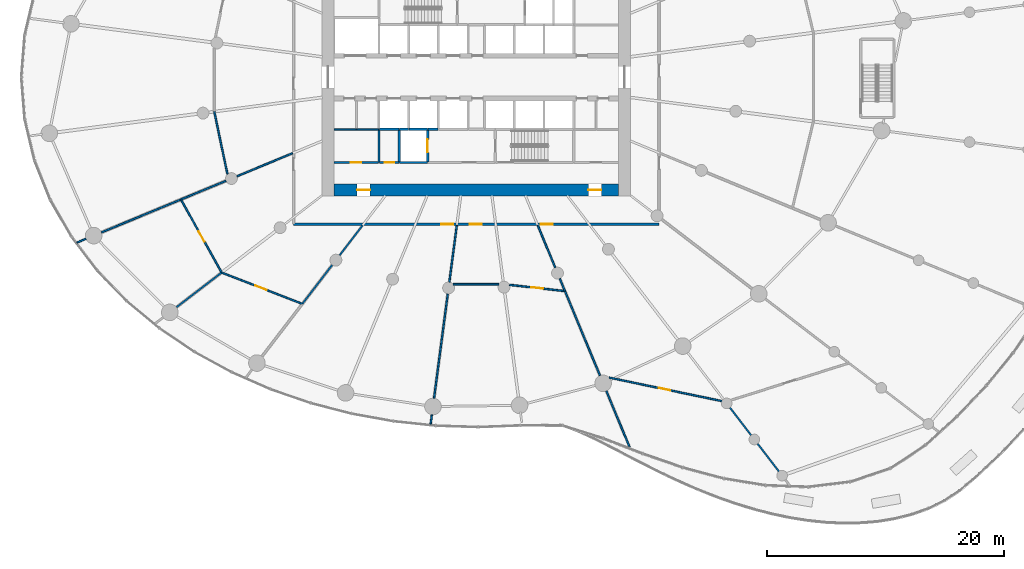
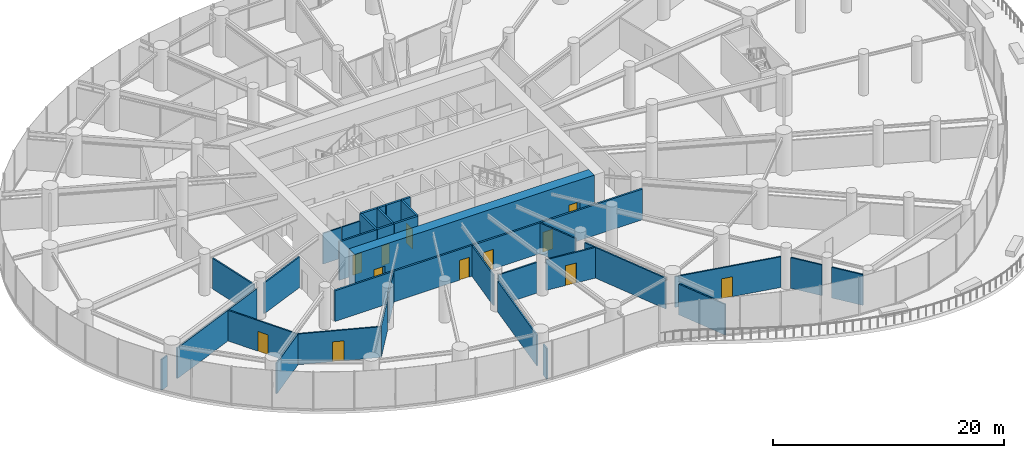
# One storey, part 14 of 24: 36 walls, 12 doors, 12 openings.
"""IFC4 building model written with IfcOpenShell, lengths in metres."""

from ifc_helpers import new_model, si_unit, direction, frame, frame_2d, origin, place, context, subcontext, project, spatial, rectangle, extrude, source, transform, mapped, material, layer, layer_set, type_object, element, fill, save


model = new_model("IFC4")

# Units and contexts
model_context = context("Model", 3, precision=1e-05, world=origin(), true_north=direction((0.0, 1.0)))
body_context = subcontext(model_context, "Body", "Model", "MODEL_VIEW")
ifc_project = project(units=[si_unit("LENGTHUNIT", "METRE"), si_unit("AREAUNIT", "SQUARE_METRE"), si_unit("VOLUMEUNIT", "CUBIC_METRE"), si_unit("PLANEANGLEUNIT", "RADIAN"), si_unit("MASSUNIT", "GRAM", prefix="KILO")], contexts=[model_context])

# Site, building, storey
site_placement = place(None, origin())
site = spatial("IfcSite", under=ifc_project, at=site_placement, CompositionType="ELEMENT")
building_placement = place(site_placement, origin())
building = spatial("IfcBuilding", under=site, at=building_placement, Name="Spindrift Exchange Tower", CompositionType="ELEMENT")
storey_placement = place(building_placement, frame((0.0, 0.0, 5.0)))
storey = spatial("IfcBuildingStorey", under=building, at=storey_placement, Name="L01", CompositionType="ELEMENT", Elevation=5.0)

# Wall, openings, doors
ifc_material_1 = material(Name="Concrete 80 MPa", Category="concrete")
ifc_layer_1 = layer(ifc_material_1, 1.0)
ifc_layer_set_1 = layer_set([ifc_layer_1], Name="RC Core Wall 1000 Concrete 80 MPa")
wall_type_1 = type_object("IfcWallType", Name="RC Core Wall 1000 Concrete 80 MPa", PredefinedType="SHEAR", material=ifc_layer_set_1)
wall_1_placement = place(storey_placement, frame((40.0, 38.5, 0.0), z_axis=(0.0, 0.0, 1.0), x_axis=(1.0, 0.0, 0.0)))
wall_1 = element("IfcWall", 1, at=wall_1_placement, inside=storey, type_object=wall_type_1, Name="Core wall S L01", PredefinedType="SHEAR", context=body_context, shape_type="SweptSolid", body=[
    extrude(rectangle(XDim=24.0, YDim=1.0, at=frame_2d((12.0, 0.0))), origin(), (0.0, 0.0, 1.0), 4.39990234375),
])
opening_1_placement = place(wall_1_placement, frame((21.449951171875, 0.0, 0.0)))
opening_1 = element("IfcOpeningElement", 2, at=opening_1_placement, cuts=wall_1, Name="Opening L01-D22", PredefinedType="OPENING", context=body_context, shape_type="SweptSolid", body=[
    extrude(rectangle(XDim=1.10009765625, YDim=2.10009765625, at=frame_2d((0.550048828125, 1.050048828125))), frame((0.0, 0.510009765625, 0.0), z_axis=(0.0, -1.0, 0.0), x_axis=(1.0, 0.0, 0.0)), (0.0, 0.0, 1.0), 1.02001953125),
])
opening_2_placement = place(wall_1_placement, frame((1.949951171875, 0.0, 0.0)))
opening_2 = element("IfcOpeningElement", 3, at=opening_2_placement, cuts=wall_1, Name="Opening L01-D23", PredefinedType="OPENING", context=body_context, shape_type="SweptSolid", body=[
    extrude(rectangle(XDim=1.10009765625, YDim=2.10009765625, at=frame_2d((0.550048828125, 1.050048828125))), frame((0.0, 0.510009765625, 0.0), z_axis=(0.0, -1.0, 0.0), x_axis=(1.0, 0.0, 0.0)), (0.0, 0.0, 1.0), 1.02001953125),
])
ifc_material_2 = material(Name="Steel fire door", Category="steel")
door_type_1 = type_object("IfcDoorType", Name="DR-STAIR-1100", OperationType="NOTDEFINED", PredefinedType="DOOR", material=ifc_material_2)
shared_shape_1 = source(origin(), body_context, "Body", "SweptSolid", [
    extrude(rectangle(XDim=1.10009765625, YDim=2.10009765625, at=frame_2d((0.550048828125, 1.050048828125))), frame((0.0, 0.02490234375, 0.0), z_axis=(0.0, -1.0, 0.0), x_axis=(1.0, 0.0, 0.0)), (0.0, 0.0, 1.0), 0.050048828125),
])
door_1_placement = place(opening_1_placement, origin())
door_1 = element("IfcDoor", 4, at=door_1_placement, inside=storey, type_object=door_type_1, Name="L01 Stair door 22", OperationType="SINGLE_SWING_RIGHT", OverallHeight=2.10009765625, OverallWidth=1.10009765625, PredefinedType="DOOR", context=body_context, shape_type="MappedRepresentation", body=[
    mapped(shared_shape_1, transform((0.0, 0.0, 0.0), scale=1.0)),
])
fill(opening_1, door_1)
door_2_placement = place(opening_2_placement, origin())
door_2 = element("IfcDoor", 5, at=door_2_placement, inside=storey, type_object=door_type_1, Name="L01 Stair door 23", OperationType="SINGLE_SWING_LEFT", OverallHeight=2.10009765625, OverallWidth=1.10009765625, PredefinedType="DOOR", context=body_context, shape_type="MappedRepresentation", body=[
    mapped(shared_shape_1, transform((0.0, 0.0, 0.0), scale=1.0)),
])
fill(opening_2, door_2)

# Wall, opening, door
ifc_material_3 = material(Name="Fire-rated plasterboard partition", Category="gypsum")
ifc_layer_2 = layer(ifc_material_3, 0.179931640625)
ifc_layer_set_2 = layer_set([ifc_layer_2], Name="W-CORR-180")
wall_type_2 = type_object("IfcWallType", Name="W-CORR-180", PredefinedType="PARTITIONING", material=ifc_layer_set_2)
wall_2_placement = place(storey_placement, frame((40.02001953125, 40.800048828125, 0.0), z_axis=(0.0, 0.0, 1.0), x_axis=(1.0, 0.0, 0.0)))
wall_2 = element("IfcWall", 6, at=wall_2_placement, inside=storey, type_object=wall_type_2, Name="L01 Partition wall 65", PredefinedType="PARTITIONING", context=body_context, shape_type="SweptSolid", body=[
    extrude(rectangle(XDim=3.75, YDim=0.179931640625, at=frame_2d((1.875, 0.0))), origin(), (0.0, 0.0, 1.0), 4.050048828125),
])
opening_3_placement = place(wall_2_placement, frame((1.39990234375, 0.0, 0.0)))
opening_3 = element("IfcOpeningElement", 7, at=opening_3_placement, cuts=wall_2, Name="Opening L01-D53", PredefinedType="OPENING", context=body_context, shape_type="SweptSolid", body=[
    extrude(rectangle(XDim=0.89990234375, YDim=2.10009765625, at=frame_2d((0.449951171875, 1.050048828125))), frame((0.0, 0.099853515625, 0.0), z_axis=(0.0, -1.0, 0.0), x_axis=(1.0, 0.0, 0.0)), (0.0, 0.0, 1.0), 0.199951171875),
])
ifc_material_4 = material(Name="Steel access door", Category="steel")
door_type_2 = type_object("IfcDoorType", Name="DR-RISER-900", OperationType="NOTDEFINED", PredefinedType="DOOR", material=ifc_material_4)
shared_shape_2 = source(origin(), body_context, "Body", "SweptSolid", [
    extrude(rectangle(XDim=0.89990234375, YDim=2.10009765625, at=frame_2d((0.449951171875, 1.050048828125))), frame((0.0, 0.02490234375, 0.0), z_axis=(0.0, -1.0, 0.0), x_axis=(1.0, 0.0, 0.0)), (0.0, 0.0, 1.0), 0.050048828125),
])
door_3_placement = place(opening_3_placement, origin())
door_3 = element("IfcDoor", 8, at=door_3_placement, inside=storey, type_object=door_type_2, Name="L01 Riser door 53", OperationType="SINGLE_SWING_LEFT", OverallHeight=2.10009765625, OverallWidth=0.89990234375, PredefinedType="DOOR", context=body_context, shape_type="MappedRepresentation", body=[
    mapped(shared_shape_2, transform((0.0, 0.0, 0.0), scale=1.0)),
])
fill(opening_3, door_3)

# Walls
ifc_layer_3 = layer(ifc_material_3, 0.139892578125)
ifc_layer_set_3 = layer_set([ifc_layer_3], Name="W-PART-140")
wall_type_3 = type_object("IfcWallType", Name="W-PART-140", PredefinedType="PARTITIONING", material=ifc_layer_set_3)
wall_3_placement = place(storey_placement, frame((43.77001953125, 43.60009765625, 0.0), z_axis=(0.0, 0.0, 1.0), x_axis=(-1.0, 0.0, 0.0)))
element("IfcWall", 9, at=wall_3_placement, inside=storey, type_object=wall_type_3, Name="L01 Partition wall 143", PredefinedType="PARTITIONING", context=body_context, shape_type="SweptSolid", body=[
    extrude(rectangle(XDim=1.840087890625, YDim=0.139892578125, at=frame_2d((0.919921875, 0.0))), origin(), (0.0, 0.0, 1.0), 3.25),
])
wall_4_placement = place(storey_placement, frame((41.8701171875, 43.60009765625, 0.0), z_axis=(0.0, 0.0, 1.0), x_axis=(-1.0, 0.0, 0.0)))
element("IfcWall", 10, at=wall_4_placement, inside=storey, type_object=wall_type_3, Name="L01 Partition wall 145", PredefinedType="PARTITIONING", context=body_context, shape_type="SweptSolid", body=[
    extrude(rectangle(XDim=1.85009765625, YDim=0.139892578125, at=frame_2d((0.925048828125, 0.0))), origin(), (0.0, 0.0, 1.0), 3.25),
])

# Wall, opening, door
ifc_layer_4 = layer(ifc_material_3, 0.139892578125)
ifc_layer_set_4 = layer_set([ifc_layer_4], Name="W-PLANT-140")
wall_type_4 = type_object("IfcWallType", Name="W-PLANT-140", PredefinedType="PARTITIONING", material=ifc_layer_set_4)
wall_5_placement = place(storey_placement, frame((72.68798828125, 20.6953125, 0.0), z_axis=(0.0, 0.0, 1.0), x_axis=(-0.978931754846, 0.204187706176, 0.0)))
wall_5 = element("IfcWall", 11, at=wall_5_placement, inside=storey, type_object=wall_type_4, Name="L01 Partition wall 70", PredefinedType="PARTITIONING", context=body_context, shape_type="SweptSolid", body=[
    extrude(rectangle(XDim=9.6884765625, YDim=0.139892578125, at=frame_2d((4.84423828125, 0.0))), origin(), (0.0, 0.0, 1.0), 3.25),
])
opening_4_placement = place(wall_5_placement, frame((4.438232421875, 0.0, 0.0)))
opening_4 = element("IfcOpeningElement", 12, at=opening_4_placement, cuts=wall_5, Name="Opening L01-D48", PredefinedType="OPENING", context=body_context, shape_type="SweptSolid", body=[
    extrude(rectangle(XDim=1.0, YDim=2.10009765625, at=frame_2d((0.5, 1.050048828125))), frame((0.0, 0.079833984375, 0.0), z_axis=(0.0, -1.0, 0.0), x_axis=(1.0, 0.0, 0.0)), (0.0, 0.0, 1.0), 0.159912109375),
])
ifc_material_5 = material(Name="Timber-core fire door", Category="wood")
door_type_3 = type_object("IfcDoorType", Name="DR-ROOM-1000", OperationType="NOTDEFINED", PredefinedType="DOOR", material=ifc_material_5)
shared_shape_3 = source(origin(), body_context, "Body", "SweptSolid", [
    extrude(rectangle(XDim=1.0, YDim=2.10009765625, at=frame_2d((0.5, 1.050048828125))), frame((0.0, 0.02490234375, 0.0), z_axis=(0.0, -1.0, 0.0), x_axis=(1.0, 0.0, 0.0)), (0.0, 0.0, 1.0), 0.050048828125),
])
door_4_placement = place(opening_4_placement, origin())
door_4 = element("IfcDoor", 13, at=door_4_placement, inside=storey, type_object=door_type_3, Name="L01 Door 48", OperationType="SINGLE_SWING_RIGHT", OverallHeight=2.10009765625, OverallWidth=1.0, PredefinedType="DOOR", context=body_context, shape_type="MappedRepresentation", body=[
    mapped(shared_shape_3, transform((0.0, 0.0, 0.0), scale=1.0)),
])
fill(opening_4, door_4)

# Walls
wall_6_placement = place(storey_placement, frame((49.594970703125, 29.732666015625, 0.0), z_axis=(0.0, 0.0, 1.0), x_axis=(-0.130521426482, -0.991445488783, 0.0)))
element("IfcWall", 14, at=wall_6_placement, inside=storey, type_object=wall_type_4, Name="L01 Partition wall 73", PredefinedType="PARTITIONING", context=body_context, shape_type="SweptSolid", body=[
    extrude(rectangle(XDim=8.871826171875, YDim=0.139892578125, at=frame_2d((4.43603515625, 0.0))), origin(), (0.0, 0.0, 1.0), 3.25),
])
wall_7_placement = place(storey_placement, frame((59.469970703125, 29.9658203125, 0.0), z_axis=(0.0, 0.0, 1.0), x_axis=(0.382680867479, -0.923880594918, 0.0)))
element("IfcWall", 15, at=wall_7_placement, inside=storey, type_object=wall_type_4, Name="L01 Partition wall 77", PredefinedType="PARTITIONING", context=body_context, shape_type="SweptSolid", body=[
    extrude(rectangle(XDim=7.7099609375, YDim=0.139892578125, at=frame_2d((3.85498046875, 0.0))), origin(), (0.0, 0.0, 1.0), 3.25),
])

# Wall, opening, door
wall_8_placement = place(storey_placement, frame((37.332275390625, 28.884521484375, 0.0), z_axis=(0.0, 0.0, 1.0), x_axis=(-0.93183870761, 0.362872736645, 0.0)))
wall_8 = element("IfcWall", 16, at=wall_8_placement, inside=storey, type_object=wall_type_4, Name="L01 Partition wall 81", PredefinedType="PARTITIONING", context=body_context, shape_type="SweptSolid", body=[
    extrude(rectangle(XDim=7.29248046875, YDim=0.139892578125, at=frame_2d((3.646240234375, 0.0))), origin(), (0.0, 0.0, 1.0), 3.25),
])
opening_5_placement = place(wall_8_placement, frame((3.242431640625, 0.0, 0.0)))
opening_5 = element("IfcOpeningElement", 17, at=opening_5_placement, cuts=wall_8, Name="Opening L01-D43", PredefinedType="OPENING", context=body_context, shape_type="SweptSolid", body=[
    extrude(rectangle(XDim=1.0, YDim=2.10009765625, at=frame_2d((0.5, 1.050048828125))), frame((0.0, 0.079833984375, 0.0), z_axis=(0.0, -1.0, 0.0), x_axis=(1.0, 0.0, 0.0)), (0.0, 0.0, 1.0), 0.159912109375),
])
door_5_placement = place(opening_5_placement, origin())
door_5 = element("IfcDoor", 18, at=door_5_placement, inside=storey, type_object=door_type_3, Name="L01 Door 43", OperationType="SINGLE_SWING_LEFT", OverallHeight=2.10009765625, OverallWidth=1.0, PredefinedType="DOOR", context=body_context, shape_type="MappedRepresentation", body=[
    mapped(shared_shape_3, transform((0.0, 0.0, 0.0), scale=1.0)),
])
fill(opening_5, door_5)

# Wall
wall_9_placement = place(storey_placement, frame((27.104736328125, 37.68798828125, 0.0), z_axis=(0.0, 0.0, 1.0), x_axis=(-0.923884350367, -0.382671800824, 0.0)))
element("IfcWall", 19, at=wall_9_placement, inside=storey, type_object=wall_type_4, Name="L01 Partition wall 82", PredefinedType="PARTITIONING", context=body_context, shape_type="SweptSolid", body=[
    extrude(rectangle(XDim=7.254638671875, YDim=0.139892578125, at=frame_2d((3.62744140625, 0.0))), origin(), (0.0, 0.0, 1.0), 3.25),
])

# Wall, opening, door
wall_10_placement = place(storey_placement, frame((30.522216796875, 31.556884765625, 0.0), z_axis=(0.0, 0.0, 1.0), x_axis=(-0.486864372852, 0.87347757982, 0.0)))
wall_10 = element("IfcWall", 20, at=wall_10_placement, inside=storey, type_object=wall_type_4, Name="L01 Partition wall 84", PredefinedType="PARTITIONING", context=body_context, shape_type="SweptSolid", body=[
    extrude(rectangle(XDim=6.9892578125, YDim=0.139892578125, at=frame_2d((3.49462890625, 0.0))), origin(), (0.0, 0.0, 1.0), 3.25),
])
opening_6_placement = place(wall_10_placement, frame((2.939208984375, 0.0, 0.0)))
opening_6 = element("IfcOpeningElement", 21, at=opening_6_placement, cuts=wall_10, Name="Opening L01-D42", PredefinedType="OPENING", context=body_context, shape_type="SweptSolid", body=[
    extrude(rectangle(XDim=1.0, YDim=2.10009765625, at=frame_2d((0.5, 1.050048828125))), frame((0.0, 0.079833984375, 0.0), z_axis=(0.0, -1.0, 0.0), x_axis=(1.0, 0.0, 0.0)), (0.0, 0.0, 1.0), 0.159912109375),
])
door_6_placement = place(opening_6_placement, origin())
door_6 = element("IfcDoor", 22, at=door_6_placement, inside=storey, type_object=door_type_3, Name="L01 Door 42", OperationType="SINGLE_SWING_RIGHT", OverallHeight=2.10009765625, OverallWidth=1.0, PredefinedType="DOOR", context=body_context, shape_type="MappedRepresentation", body=[
    mapped(shared_shape_3, transform((0.0, 0.0, 0.0), scale=1.0)),
])
fill(opening_6, door_6)

# Walls
wall_11_placement = place(storey_placement, frame((29.913330078125, 45.09228515625, 0.0), z_axis=(0.0, 0.0, 1.0), x_axis=(0.206049339712, -0.97854160341, 0.0)))
element("IfcWall", 23, at=wall_11_placement, inside=storey, type_object=wall_type_4, Name="L01 Partition wall 99", PredefinedType="PARTITIONING", context=body_context, shape_type="SweptSolid", body=[
    extrude(rectangle(XDim=5.3828125, YDim=0.139892578125, at=frame_2d((2.69140625, 0.0))), origin(), (0.0, 0.0, 1.0), 3.25),
])
wall_12_placement = place(storey_placement, frame((36.510009765625, 41.583740234375, 0.0), z_axis=(0.0, 0.0, 1.0), x_axis=(-0.923890025086, -0.382658100067, 0.0)))
element("IfcWall", 24, at=wall_12_placement, inside=storey, type_object=wall_type_4, Name="L01 Partition wall 103", PredefinedType="PARTITIONING", context=body_context, shape_type="SweptSolid", body=[
    extrude(rectangle(XDim=5.068359375, YDim=0.139892578125, at=frame_2d((2.5341796875, 0.0))), origin(), (0.0, 0.0, 1.0), 3.25),
])
wall_13_placement = place(storey_placement, frame((62.960205078125, 21.5400390625, 0.0), z_axis=(0.0, 0.0, 1.0), x_axis=(0.382657019909, -0.923890472466, 0.0)))
element("IfcWall", 25, at=wall_13_placement, inside=storey, type_object=wall_type_4, Name="L01 Partition wall 105", PredefinedType="PARTITIONING", context=body_context, shape_type="SweptSolid", body=[
    extrude(rectangle(XDim=5.10986328125, YDim=0.139892578125, at=frame_2d((2.554931640625, 0.0))), origin(), (0.0, 0.0, 1.0), 3.25),
])
wall_14_placement = place(storey_placement, frame((50.355712890625, 35.510009765625, 0.0), z_axis=(0.0, 0.0, 1.0), x_axis=(-0.130523979823, -0.991445152639, 0.0)))
element("IfcWall", 26, at=wall_14_placement, inside=storey, type_object=wall_type_4, Name="L01 Partition wall 107", PredefinedType="PARTITIONING", context=body_context, shape_type="SweptSolid", body=[
    extrude(rectangle(XDim=4.818359375, YDim=0.139892578125, at=frame_2d((2.4091796875, 0.0))), origin(), (0.0, 0.0, 1.0), 3.25),
])
wall_15_placement = place(storey_placement, frame((30.51318359375, 31.5126953125, 0.0), z_axis=(0.0, 0.0, 1.0), x_axis=(-0.793352949366, -0.608761938472, 0.0)))
element("IfcWall", 27, at=wall_15_placement, inside=storey, type_object=wall_type_4, Name="L01 Partition wall 108", PredefinedType="PARTITIONING", context=body_context, shape_type="SweptSolid", body=[
    extrude(rectangle(XDim=4.77734375, YDim=0.139892578125, at=frame_2d((2.388671875, 0.0))), origin(), (0.0, 0.0, 1.0), 3.25),
])

# Wall, opening, door
wall_16_placement = place(storey_placement, frame((59.440185546875, 29.968994140625, 0.0), z_axis=(0.0, 0.0, 1.0), x_axis=(-0.99372471244, 0.111853457196, 0.0)))
wall_16 = element("IfcWall", 28, at=wall_16_placement, inside=storey, type_object=wall_type_4, Name="L01 Partition wall 109", PredefinedType="PARTITIONING", context=body_context, shape_type="SweptSolid", body=[
    extrude(rectangle(XDim=4.673095703125, YDim=0.139892578125, at=frame_2d((2.33642578125, 0.0))), origin(), (0.0, 0.0, 1.0), 3.25),
])
opening_7_placement = place(wall_16_placement, frame((1.8232421875, 0.0, 0.0)))
opening_7 = element("IfcOpeningElement", 29, at=opening_7_placement, cuts=wall_16, Name="Opening L01-D46", PredefinedType="OPENING", context=body_context, shape_type="SweptSolid", body=[
    extrude(rectangle(XDim=1.0, YDim=2.10009765625, at=frame_2d((0.5, 1.050048828125))), frame((0.0, 0.079833984375, 0.0), z_axis=(0.0, -1.0, 0.0), x_axis=(1.0, 0.0, 0.0)), (0.0, 0.0, 1.0), 0.159912109375),
])
door_7_placement = place(opening_7_placement, origin())
door_7 = element("IfcDoor", 30, at=door_7_placement, inside=storey, type_object=door_type_3, Name="L01 Door 46", OperationType="SINGLE_SWING_RIGHT", OverallHeight=2.10009765625, OverallWidth=1.0, PredefinedType="DOOR", context=body_context, shape_type="MappedRepresentation", body=[
    mapped(shared_shape_3, transform((0.0, 0.0, 0.0), scale=1.0)),
])
fill(opening_7, door_7)

# Walls
wall_17_placement = place(storey_placement, frame((39.85791015625, 32.176025390625, 0.0), z_axis=(0.0, 0.0, 1.0), x_axis=(-0.608764995469, -0.793350603637, 0.0)))
element("IfcWall", 31, at=wall_17_placement, inside=storey, type_object=wall_type_4, Name="L01 Partition wall 113", PredefinedType="PARTITIONING", context=body_context, shape_type="SweptSolid", body=[
    extrude(rectangle(XDim=4.11865234375, YDim=0.139892578125, at=frame_2d((2.059326171875, 0.0))), origin(), (0.0, 0.0, 1.0), 3.25),
])
wall_18_placement = place(storey_placement, frame((30.89404296875, 39.2578125, 0.0), z_axis=(0.0, 0.0, 1.0), x_axis=(-0.923875045436, -0.382694264943, 0.0)))
element("IfcWall", 32, at=wall_18_placement, inside=storey, type_object=wall_type_4, Name="L01 Partition wall 114", PredefinedType="PARTITIONING", context=body_context, shape_type="SweptSolid", body=[
    extrude(rectangle(XDim=4.0712890625, YDim=0.139892578125, at=frame_2d((2.03564453125, 0.0))), origin(), (0.0, 0.0, 1.0), 3.25),
])
wall_19_placement = place(storey_placement, frame((57.173583984375, 35.510009765625, 0.0), z_axis=(0.0, 0.0, 1.0), x_axis=(0.382644558062, -0.923895633817, 0.0)))
element("IfcWall", 33, at=wall_19_placement, inside=storey, type_object=wall_type_4, Name="L01 Partition wall 120", PredefinedType="PARTITIONING", context=body_context, shape_type="SweptSolid", body=[
    extrude(rectangle(XDim=3.854248046875, YDim=0.139892578125, at=frame_2d((1.92724609375, 0.0))), origin(), (0.0, 0.0, 1.0), 3.25),
])
wall_20_placement = place(storey_placement, frame((50.054931640625, 30.548095703125, 0.0), z_axis=(0.0, 0.0, 1.0), x_axis=(1.0, 0.0, 0.0)))
element("IfcWall", 34, at=wall_20_placement, inside=storey, type_object=wall_type_4, Name="L01 Partition wall 121", PredefinedType="PARTITIONING", context=body_context, shape_type="SweptSolid", body=[
    extrude(rectangle(XDim=3.83837890625, YDim=0.139892578125, at=frame_2d((1.919189453125, 0.0))), origin(), (0.0, 0.0, 1.0), 3.25),
])
wall_21_placement = place(storey_placement, frame((42.416015625, 35.510009765625, 0.0), z_axis=(0.0, 0.0, 1.0), x_axis=(-0.60874605662, -0.793365135703, 0.0)))
element("IfcWall", 35, at=wall_21_placement, inside=storey, type_object=wall_type_4, Name="L01 Partition wall 128", PredefinedType="PARTITIONING", context=body_context, shape_type="SweptSolid", body=[
    extrude(rectangle(XDim=3.193603515625, YDim=0.139892578125, at=frame_2d((1.5966796875, 0.0))), origin(), (0.0, 0.0, 1.0), 3.25),
])
wall_22_placement = place(storey_placement, frame((73.376220703125, 20.14208984375, 0.0), z_axis=(0.0, 0.0, 1.0), x_axis=(0.608763898154, -0.793351445643, 0.0)))
element("IfcWall", 36, at=wall_22_placement, inside=storey, type_object=wall_type_4, Name="L01 Partition wall 132", PredefinedType="PARTITIONING", context=body_context, shape_type="SweptSolid", body=[
    extrude(rectangle(XDim=2.9296875, YDim=0.139892578125, at=frame_2d((1.46484375, 0.0))), origin(), (0.0, 0.0, 1.0), 3.25),
])
wall_23_placement = place(storey_placement, frame((75.712890625, 17.0966796875, 0.0), z_axis=(0.0, 0.0, 1.0), x_axis=(0.608804147927, -0.793320559085, 0.0)))
element("IfcWall", 37, at=wall_23_placement, inside=storey, type_object=wall_type_4, Name="L01 Partition wall 133", PredefinedType="PARTITIONING", context=body_context, shape_type="SweptSolid", body=[
    extrude(rectangle(XDim=2.929443359375, YDim=0.139892578125, at=frame_2d((1.46484375, 0.0))), origin(), (0.0, 0.0, 1.0), 3.25),
])
wall_24_placement = place(storey_placement, frame((59.034912109375, 31.015869140625, 0.0), z_axis=(0.0, 0.0, 1.0), x_axis=(0.382734948308, -0.923858192226, 0.0)))
element("IfcWall", 38, at=wall_24_placement, inside=storey, type_object=wall_type_4, Name="L01 Partition wall 149", PredefinedType="PARTITIONING", context=body_context, shape_type="SweptSolid", body=[
    extrude(rectangle(XDim=1.106689453125, YDim=0.139892578125, at=frame_2d((0.55322265625, 0.0))), origin(), (0.0, 0.0, 1.0), 3.25),
])
wall_25_placement = place(storey_placement, frame((19.099853515625, 34.372314453125, 0.0), z_axis=(0.0, 0.0, 1.0), x_axis=(-0.923882954879, -0.382675169935, 0.0)))
element("IfcWall", 39, at=wall_25_placement, inside=storey, type_object=wall_type_4, Name="L01 Partition wall 154", PredefinedType="PARTITIONING", context=body_context, shape_type="SweptSolid", body=[
    extrude(rectangle(XDim=0.822265625, YDim=0.139892578125, at=frame_2d((0.4111328125, 0.0))), origin(), (0.0, 0.0, 1.0), 3.25),
])
wall_26_placement = place(storey_placement, frame((48.253173828125, 19.540283203125, 0.0), z_axis=(0.0, 0.0, 1.0), x_axis=(-0.130598952658, -0.991435279564, 0.0)))
element("IfcWall", 40, at=wall_26_placement, inside=storey, type_object=wall_type_4, Name="L01 Partition wall 156", PredefinedType="PARTITIONING", context=body_context, shape_type="SweptSolid", body=[
    extrude(rectangle(XDim=0.787109375, YDim=0.139892578125, at=frame_2d((0.3935546875, 0.0))), origin(), (0.0, 0.0, 1.0), 3.25),
])

# Wall, openings, doors
ifc_layer_5 = layer(ifc_material_3, 0.179931640625)
ifc_layer_set_5 = layer_set([ifc_layer_5], Name="W-PLANT-180")
wall_type_5 = type_object("IfcWallType", Name="W-PLANT-180", PredefinedType="PARTITIONING", material=ifc_layer_set_5)
wall_27_placement = place(storey_placement, frame((67.39990234375, 35.60009765625, 0.0), z_axis=(0.0, 0.0, 1.0), x_axis=(-1.0, 0.0, 0.0)))
wall_27 = element("IfcWall", 41, at=wall_27_placement, inside=storey, type_object=wall_type_5, Name="L01 Partition wall 61", PredefinedType="PARTITIONING", context=body_context, shape_type="SweptSolid", body=[
    extrude(rectangle(XDim=30.7998046875, YDim=0.179931640625, at=frame_2d((15.39990234375, 0.0))), origin(), (0.0, 0.0, 1.0), 3.25),
])
opening_8_placement = place(wall_27_placement, frame((17.35009765625, 0.0, 0.0)))
opening_8 = element("IfcOpeningElement", 42, at=opening_8_placement, cuts=wall_27, Name="Opening L01-D44", PredefinedType="OPENING", context=body_context, shape_type="SweptSolid", body=[
    extrude(rectangle(XDim=1.0, YDim=2.10009765625, at=frame_2d((0.5, 1.050048828125))), frame((0.0, 0.099853515625, 0.0), z_axis=(0.0, -1.0, 0.0), x_axis=(1.0, 0.0, 0.0)), (0.0, 0.0, 1.0), 0.199951171875),
])
opening_9_placement = place(wall_27_placement, frame((14.949951171875, 0.0, 0.0)))
opening_9 = element("IfcOpeningElement", 43, at=opening_9_placement, cuts=wall_27, Name="Opening L01-D45", PredefinedType="OPENING", context=body_context, shape_type="SweptSolid", body=[
    extrude(rectangle(XDim=1.0, YDim=2.10009765625, at=frame_2d((0.5, 1.050048828125))), frame((0.0, 0.099853515625, 0.0), z_axis=(0.0, -1.0, 0.0), x_axis=(1.0, 0.0, 0.0)), (0.0, 0.0, 1.0), 0.199951171875),
])
opening_10_placement = place(wall_27_placement, frame((8.949951171875, 0.0, 0.0)))
opening_10 = element("IfcOpeningElement", 44, at=opening_10_placement, cuts=wall_27, Name="Opening L01-D47", PredefinedType="OPENING", context=body_context, shape_type="SweptSolid", body=[
    extrude(rectangle(XDim=1.0, YDim=2.10009765625, at=frame_2d((0.5, 1.050048828125))), frame((0.0, 0.099853515625, 0.0), z_axis=(0.0, -1.0, 0.0), x_axis=(1.0, 0.0, 0.0)), (0.0, 0.0, 1.0), 0.199951171875),
])
door_8_placement = place(opening_8_placement, origin())
door_8 = element("IfcDoor", 45, at=door_8_placement, inside=storey, type_object=door_type_3, Name="L01 Door 44", OperationType="SINGLE_SWING_RIGHT", OverallHeight=2.10009765625, OverallWidth=1.0, PredefinedType="DOOR", context=body_context, shape_type="MappedRepresentation", body=[
    mapped(shared_shape_3, transform((0.0, 0.0, 0.0), scale=1.0)),
])
fill(opening_8, door_8)
door_9_placement = place(opening_9_placement, origin())
door_9 = element("IfcDoor", 46, at=door_9_placement, inside=storey, type_object=door_type_3, Name="L01 Door 45", OperationType="SINGLE_SWING_LEFT", OverallHeight=2.10009765625, OverallWidth=1.0, PredefinedType="DOOR", context=body_context, shape_type="MappedRepresentation", body=[
    mapped(shared_shape_3, transform((0.0, 0.0, 0.0), scale=1.0)),
])
fill(opening_9, door_9)
door_10_placement = place(opening_10_placement, origin())
door_10 = element("IfcDoor", 47, at=door_10_placement, inside=storey, type_object=door_type_3, Name="L01 Door 47", OperationType="SINGLE_SWING_LEFT", OverallHeight=2.10009765625, OverallWidth=1.0, PredefinedType="DOOR", context=body_context, shape_type="MappedRepresentation", body=[
    mapped(shared_shape_3, transform((0.0, 0.0, 0.0), scale=1.0)),
])
fill(opening_10, door_10)

# Walls
ifc_material_6 = material(Name="Concrete 40 MPa", Category="concrete")
ifc_layer_6 = layer(ifc_material_6, 0.199951171875)
ifc_layer_set_6 = layer_set([ifc_layer_6], Name="W-SHAFT-200")
wall_type_6 = type_object("IfcWallType", Name="W-SHAFT-200", PredefinedType="SOLIDWALL", material=ifc_layer_set_6)
for number, where, z_axis, x_axis, name in (
    (48, (43.800048828125, 43.60009765625, 0.0), (0.0, 0.0, 1.0), (0.0, -1.0, 0.0), "L01 Shaft wall 8"),
    (49, (45.5, 43.60009765625, 0.0), (0.0, 0.0, 1.0), (0.0, -1.0, 0.0), "L01 Shaft wall 9"),
):
    element("IfcWall", number, at=place(storey_placement, frame(where, z_axis=z_axis, x_axis=x_axis)), inside=storey, type_object=wall_type_6, Name=name, PredefinedType="SOLIDWALL", context=body_context, shape_type="SweptSolid", body=[
        extrude(rectangle(XDim=2.800048828125, YDim=0.199951171875, at=frame_2d((1.39990234375, 0.0))), origin(), (0.0, 0.0, 1.0), 4.050048828125),
    ])

# Wall, opening, door
wall_28_placement = place(storey_placement, frame((47.89990234375, 40.830078125, 0.0), z_axis=(0.0, 0.0, 1.0), x_axis=(0.0, 1.0, 0.0)))
wall_28 = element("IfcWall", 50, at=wall_28_placement, inside=storey, type_object=wall_type_6, Name="L01 Shaft wall 10", PredefinedType="SOLIDWALL", context=body_context, shape_type="SweptSolid", body=[
    extrude(rectangle(XDim=2.77001953125, YDim=0.199951171875, at=frame_2d((1.385009765625, 0.0))), origin(), (0.0, 0.0, 1.0), 4.050048828125),
])
opening_11_placement = place(wall_28_placement, frame((0.820068359375, 0.0, 0.0)))
opening_11 = element("IfcOpeningElement", 51, at=opening_11_placement, cuts=wall_28, Name="Opening L01-D10", PredefinedType="OPENING", context=body_context, shape_type="SweptSolid", body=[
    extrude(rectangle(XDim=1.10009765625, YDim=2.10009765625, at=frame_2d((0.550048828125, 1.050048828125))), frame((0.0, 0.10986328125, 0.0), z_axis=(0.0, -1.0, 0.0), x_axis=(1.0, 0.0, 0.0)), (0.0, 0.0, 1.0), 0.219970703125),
])
ifc_material_7 = material(Name="Stainless steel landing door", Category="steel")
door_type_4 = type_object("IfcDoorType", Name="DR-LANDING-1100-SL", OperationType="DOUBLE_DOOR_SLIDING", PredefinedType="USERDEFINED", material=ifc_material_7)
shared_shape_4 = source(origin(), body_context, "Body", "SweptSolid", [
    extrude(rectangle(XDim=1.10009765625, YDim=2.10009765625, at=frame_2d((0.550048828125, 1.050048828125))), frame((0.0, 0.02490234375, 0.0), z_axis=(0.0, -1.0, 0.0), x_axis=(1.0, 0.0, 0.0)), (0.0, 0.0, 1.0), 0.050048828125),
])
door_11_placement = place(opening_11_placement, origin())
door_11 = element("IfcDoor", 52, at=door_11_placement, inside=storey, type_object=door_type_4, Name="L01 Lift landing door 10", ObjectType="LANDING DOOR", OperationType="DOUBLE_DOOR_SLIDING", OverallHeight=2.10009765625, OverallWidth=1.10009765625, PredefinedType="USERDEFINED", context=body_context, shape_type="MappedRepresentation", body=[
    mapped(shared_shape_4, transform((0.0, 0.0, 0.0), scale=1.0)),
])
fill(opening_11, door_11)

# Walls
wall_29_placement = place(storey_placement, frame((45.530029296875, 40.800048828125, 0.0), z_axis=(0.0, 0.0, 1.0), x_axis=(1.0, 0.0, 0.0)))
element("IfcWall", 53, at=wall_29_placement, inside=storey, type_object=wall_type_6, Name="L01 Shaft wall 25", PredefinedType="SOLIDWALL", context=body_context, shape_type="SweptSolid", body=[
    extrude(rectangle(XDim=2.340087890625, YDim=0.199951171875, at=frame_2d((1.169921875, 0.0))), origin(), (0.0, 0.0, 1.0), 4.050048828125),
])
wall_30_placement = place(storey_placement, frame((43.830078125, 43.60009765625, 0.0), z_axis=(0.0, 0.0, 1.0), x_axis=(1.0, 0.0, 0.0)))
element("IfcWall", 54, at=wall_30_placement, inside=storey, type_object=wall_type_6, Name="L01 Shaft wall 44", PredefinedType="SOLIDWALL", context=body_context, shape_type="SweptSolid", body=[
    extrude(rectangle(XDim=1.639892578125, YDim=0.199951171875, at=frame_2d((0.81982421875, 0.0))), origin(), (0.0, 0.0, 1.0), 4.050048828125),
])

# Wall, opening, door
wall_31_placement = place(storey_placement, frame((43.830078125, 40.800048828125, 0.0), z_axis=(0.0, 0.0, 1.0), x_axis=(1.0, 0.0, 0.0)))
wall_31 = element("IfcWall", 55, at=wall_31_placement, inside=storey, type_object=wall_type_6, Name="L01 Shaft wall 45", PredefinedType="SOLIDWALL", context=body_context, shape_type="SweptSolid", body=[
    extrude(rectangle(XDim=1.639892578125, YDim=0.199951171875, at=frame_2d((0.81982421875, 0.0))), origin(), (0.0, 0.0, 1.0), 4.050048828125),
])
opening_12_placement = place(wall_31_placement, frame((0.469970703125, 0.0, 0.0)))
opening_12 = element("IfcOpeningElement", 56, at=opening_12_placement, cuts=wall_31, Name="Opening L01-D19", PredefinedType="OPENING", context=body_context, shape_type="SweptSolid", body=[
    extrude(rectangle(XDim=0.800048828125, YDim=2.10009765625, at=frame_2d((0.39990234375, 1.050048828125))), frame((0.0, 0.10986328125, 0.0), z_axis=(0.0, -1.0, 0.0), x_axis=(1.0, 0.0, 0.0)), (0.0, 0.0, 1.0), 0.219970703125),
])
door_type_5 = type_object("IfcDoorType", Name="DR-RISER-800", OperationType="NOTDEFINED", PredefinedType="DOOR", material=ifc_material_4)
shared_shape_5 = source(origin(), body_context, "Body", "SweptSolid", [
    extrude(rectangle(XDim=0.800048828125, YDim=2.10009765625, at=frame_2d((0.39990234375, 1.050048828125))), frame((0.0, 0.02490234375, 0.0), z_axis=(0.0, -1.0, 0.0), x_axis=(1.0, 0.0, 0.0)), (0.0, 0.0, 1.0), 0.050048828125),
])
door_12_placement = place(opening_12_placement, origin())
door_12 = element("IfcDoor", 57, at=door_12_placement, inside=storey, type_object=door_type_5, Name="L01 Riser door 19", OperationType="SINGLE_SWING_LEFT", OverallHeight=2.10009765625, OverallWidth=0.800048828125, PredefinedType="DOOR", context=body_context, shape_type="MappedRepresentation", body=[
    mapped(shared_shape_5, transform((0.0, 0.0, 0.0), scale=1.0)),
])
fill(opening_12, door_12)

# Walls
wall_32_placement = place(storey_placement, frame((46.330078125, 43.60009765625, 0.0), z_axis=(0.0, 0.0, 1.0), x_axis=(1.0, 0.0, 0.0)))
element("IfcWall", 58, at=wall_32_placement, inside=storey, type_object=wall_type_6, Name="L01 Shaft wall 48", PredefinedType="SOLIDWALL", context=body_context, shape_type="SweptSolid", body=[
    extrude(rectangle(XDim=1.5400390625, YDim=0.199951171875, at=frame_2d((0.77001953125, 0.0))), origin(), (0.0, 0.0, 1.0), 4.050048828125),
])
wall_33_placement = place(storey_placement, frame((47.929931640625, 43.60009765625, 0.0), z_axis=(0.0, 0.0, 1.0), x_axis=(1.0, 0.0, 0.0)))
element("IfcWall", 59, at=wall_33_placement, inside=storey, type_object=wall_type_6, Name="L01 Shaft wall 54", PredefinedType="SOLIDWALL", context=body_context, shape_type="SweptSolid", body=[
    extrude(rectangle(XDim=0.840087890625, YDim=0.199951171875, at=frame_2d((0.419921875, 0.0))), origin(), (0.0, 0.0, 1.0), 4.050048828125),
])
wall_34_placement = place(storey_placement, frame((45.530029296875, 43.60009765625, 0.0), z_axis=(0.0, 0.0, 1.0), x_axis=(1.0, 0.0, 0.0)))
element("IfcWall", 60, at=wall_34_placement, inside=storey, type_object=wall_type_6, Name="L01 Shaft wall 58", PredefinedType="SOLIDWALL", context=body_context, shape_type="SweptSolid", body=[
    extrude(rectangle(XDim=0.739990234375, YDim=0.199951171875, at=frame_2d((0.3701171875, 0.0))), origin(), (0.0, 0.0, 1.0), 4.050048828125),
])

save(model, "model.ifc")
